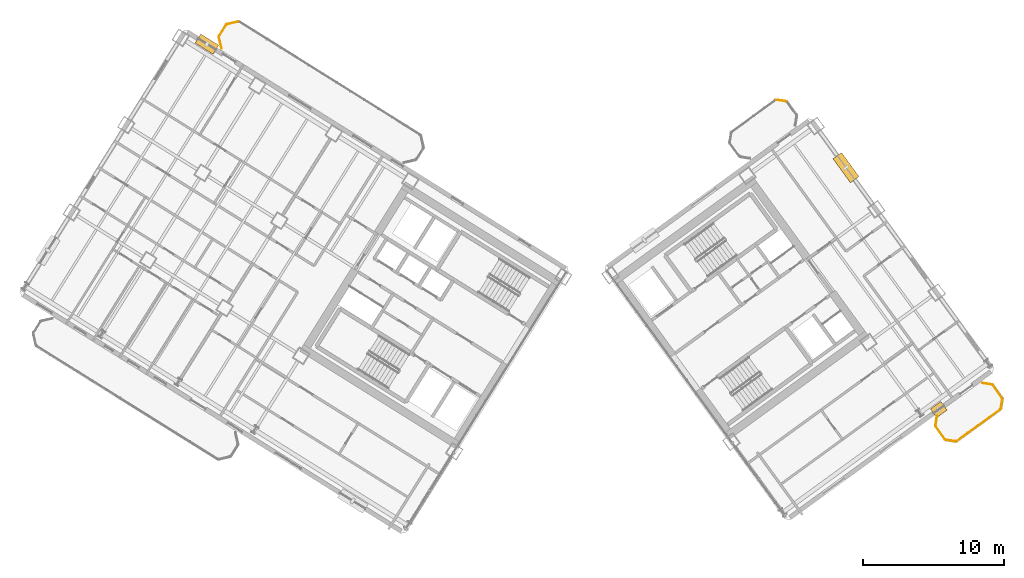
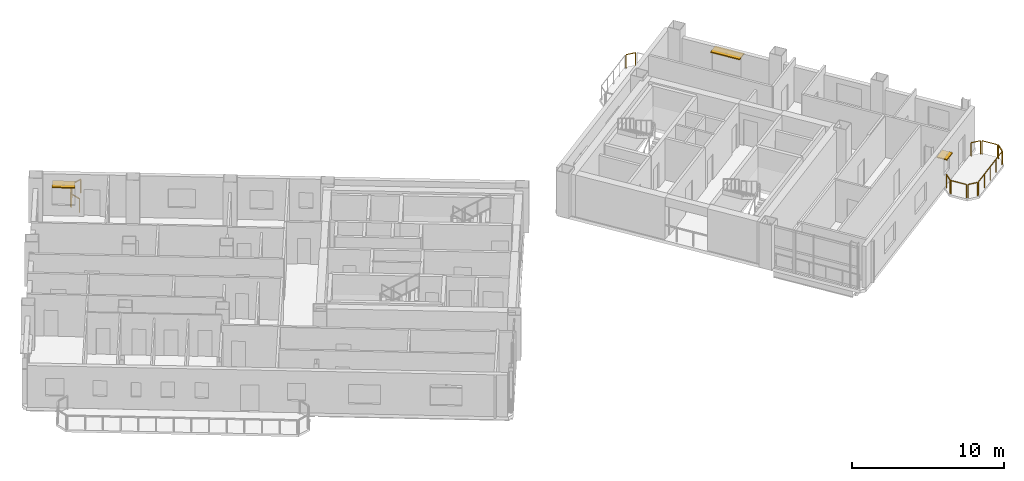
# One storey, part 19 of 19: 11 railings, 3 shading devices.
"""IFC4 building model written with IfcOpenShell, lengths in metres."""

from ifc_helpers import new_model, si_unit, direction, frame, origin, origin_2d, place, context, subcontext, project, spatial, rectangle, extrude, source, transform, mapped, material, layer, layer_set, type_object, element, save


model = new_model("IFC4")

# Units and contexts
model_context = context("Model", 3, precision=1e-05, world=origin(), true_north=direction((0.0, 1.0)))
body_context = subcontext(model_context, "Body", "Model", "MODEL_VIEW")
ifc_project = project(units=[si_unit("LENGTHUNIT", "METRE"), si_unit("AREAUNIT", "SQUARE_METRE"), si_unit("VOLUMEUNIT", "CUBIC_METRE"), si_unit("PLANEANGLEUNIT", "RADIAN"), si_unit("MASSUNIT", "GRAM", prefix="KILO")], contexts=[model_context])

# Site, building, storey
site_placement = place(None, origin())
site = spatial("IfcSite", under=ifc_project, at=site_placement, CompositionType="ELEMENT")
building_placement = place(site_placement, origin())
building = spatial("IfcBuilding", under=site, at=building_placement, Name="Tlacorven Tower", CompositionType="ELEMENT")
storey_placement = place(building_placement, frame((0.0, 0.0, 147.89990234375)))
storey = spatial("IfcBuildingStorey", under=building, at=storey_placement, Name="L37", CompositionType="ELEMENT", Elevation=147.89990234375)

# Railings
ifc_material_1 = material(Name="Aluminium and painted steel balustrade", Category="steel")
railing_type = type_object("IfcRailingType", Name="RL-BAL-1100", PredefinedType="BALUSTRADE", material=ifc_material_1)
shared_shape_1 = source(origin(), body_context, "Body", "SweptSolid", [
    extrude(rectangle(XDim=0.048095703125, YDim=0.048095703125, at=origin_2d()), frame((0.0, 0.0, 1.076171875), z_axis=(-0.225058334816, 0.974345290916, 0.0), x_axis=(-0.974345290916, -0.225058334816, 0.0)), (0.0, 0.0, 1.0), 0.80712890625),
    extrude(rectangle(XDim=0.0419921875, YDim=0.0419921875, at=origin_2d()), origin(), (0.0, 0.0, 1.0), 1.052001953125),
    extrude(rectangle(XDim=0.0419921875, YDim=0.0419921875, at=origin_2d()), frame((-0.181640625, 0.786376953125, 0.0)), (0.0, 0.0, 1.0), 1.052001953125),
])
railing_1_placement = place(storey_placement, frame((16.5361328125, 40.68115234375, 0.0)))
element("IfcRailing", 1, at=railing_1_placement, inside=storey, type_object=railing_type, Name="BAL-L37-W-IN Guard Railing 4", PredefinedType="BALUSTRADE", context=body_context, shape_type="MappedRepresentation", body=[
    mapped(shared_shape_1, transform((0.0, 0.0, 0.0), scale=1.0)),
])
shared_shape_2 = source(origin(), body_context, "Body", "SweptSolid", [
    extrude(rectangle(XDim=0.048095703125, YDim=0.048095703125, at=origin_2d()), frame((0.0, 0.0, 1.076171875), z_axis=(0.52987865805, 0.848073468364, 0.0), x_axis=(-0.848073468364, 0.52987865805, 0.0)), (0.0, 0.0, 1.0), 0.912353515625),
    extrude(rectangle(XDim=0.0419921875, YDim=0.0419921875, at=origin_2d()), origin(), (0.0, 0.0, 1.0), 1.052001953125),
    extrude(rectangle(XDim=0.0419921875, YDim=0.0419921875, at=origin_2d()), frame((0.4833984375, 0.773681640625, 0.0)), (0.0, 0.0, 1.0), 1.052001953125),
])
railing_2_placement = place(storey_placement, frame((16.369873046875, 41.55859375, 0.0)))
element("IfcRailing", 2, at=railing_2_placement, inside=storey, type_object=railing_type, Name="BAL-L37-W-IN Guard Railing 5", PredefinedType="BALUSTRADE", context=body_context, shape_type="MappedRepresentation", body=[
    mapped(shared_shape_2, transform((0.0, 0.0, 0.0), scale=1.0)),
])
shared_shape_3 = source(origin(), body_context, "Body", "SweptSolid", [
    extrude(rectangle(XDim=0.048095703125, YDim=0.048095703125, at=origin_2d()), frame((0.0, 0.0, 1.076171875), z_axis=(0.974411586182, 0.224771129628, 0.0), x_axis=(-0.224771129628, 0.974411586182, 0.0)), (0.0, 0.0, 1.0), 0.80712890625),
    extrude(rectangle(XDim=0.0419921875, YDim=0.0419921875, at=origin_2d()), origin(), (0.0, 0.0, 1.0), 1.052001953125),
    extrude(rectangle(XDim=0.0419921875, YDim=0.0419921875, at=origin_2d()), frame((0.786376953125, 0.181396484375, 0.0)), (0.0, 0.0, 1.0), 1.052001953125),
])
railing_3_placement = place(storey_placement, frame((16.928466796875, 42.385986328125, 0.0)))
element("IfcRailing", 3, at=railing_3_placement, inside=storey, type_object=railing_type, Name="BAL-L37-W-IN Guard Railing 6", PredefinedType="BALUSTRADE", context=body_context, shape_type="MappedRepresentation", body=[
    mapped(shared_shape_3, transform((0.0, 0.0, 0.0), scale=1.0)),
])
shared_shape_4 = source(origin(), body_context, "Body", "SweptSolid", [
    extrude(rectangle(XDim=0.048095703125, YDim=0.048095703125, at=origin_2d()), frame((0.0, 0.0, 1.076171875), z_axis=(-0.987661653326, 0.156602868908, 0.0), x_axis=(-0.156602868908, -0.987661653326, 0.0)), (0.0, 0.0, 1.0), 0.665771484375),
    extrude(rectangle(XDim=0.0419921875, YDim=0.0419921875, at=origin_2d()), origin(), (0.0, 0.0, 1.0), 1.052001953125),
    extrude(rectangle(XDim=0.0419921875, YDim=0.0419921875, at=origin_2d()), frame((-0.657470703125, 0.104248046875, 0.0)), (0.0, 0.0, 1.0), 1.052001953125),
])
railing_4_placement = place(storey_placement, frame((68.59521484375, 12.7919921875, 0.0)))
element("IfcRailing", 4, at=railing_4_placement, inside=storey, type_object=railing_type, Name="BAL-L37-E-OUT Guard Railing 1", PredefinedType="BALUSTRADE", context=body_context, shape_type="MappedRepresentation", body=[
    mapped(shared_shape_4, transform((0.0, 0.0, 0.0), scale=1.0)),
])
shared_shape_5 = source(origin(), body_context, "Body", "SweptSolid", [
    extrude(rectangle(XDim=0.048095703125, YDim=0.048095703125, at=origin_2d()), frame((0.0, 0.0, 1.076171875), z_axis=(-0.58788449985, 0.808944877501, 0.0), x_axis=(-0.808944877501, -0.58788449985, 0.0)), (0.0, 0.0, 1.0), 1.112060546875),
    extrude(rectangle(XDim=0.0419921875, YDim=0.0419921875, at=origin_2d()), origin(), (0.0, 0.0, 1.0), 1.052001953125),
    extrude(rectangle(XDim=0.0419921875, YDim=0.0419921875, at=origin_2d()), frame((-0.65380859375, 0.899658203125, 0.0)), (0.0, 0.0, 1.0), 1.052001953125),
])
railing_5_placement = place(storey_placement, frame((67.85888671875, 12.944580078125, 0.0)))
element("IfcRailing", 5, at=railing_5_placement, inside=storey, type_object=railing_type, Name="BAL-L37-E-OUT Guard Railing 2", PredefinedType="BALUSTRADE", context=body_context, shape_type="MappedRepresentation", body=[
    mapped(shared_shape_5, transform((0.0, 0.0, 0.0), scale=1.0)),
])
shared_shape_6 = source(origin(), body_context, "Body", "SweptSolid", [
    extrude(rectangle(XDim=0.048095703125, YDim=0.048095703125, at=origin_2d()), frame((0.0, 0.0, 1.076171875), z_axis=(0.156602868908, 0.987661653326, 0.0), x_axis=(-0.987661653326, 0.156602868908, 0.0)), (0.0, 0.0, 1.0), 0.665771484375),
    extrude(rectangle(XDim=0.0419921875, YDim=0.0419921875, at=origin_2d()), origin(), (0.0, 0.0, 1.0), 1.052001953125),
    extrude(rectangle(XDim=0.0419921875, YDim=0.0419921875, at=origin_2d()), frame((0.104248046875, 0.657470703125, 0.0)), (0.0, 0.0, 1.0), 1.052001953125),
])
railing_6_placement = place(storey_placement, frame((67.18359375, 13.93408203125, 0.0)))
element("IfcRailing", 6, at=railing_6_placement, inside=storey, type_object=railing_type, Name="BAL-L37-E-OUT Guard Railing 3", PredefinedType="BALUSTRADE", context=body_context, shape_type="MappedRepresentation", body=[
    mapped(shared_shape_6, transform((0.0, 0.0, 0.0), scale=1.0)),
])
shared_shape_7 = source(origin(), body_context, "Body", "SweptSolid", [
    extrude(rectangle(XDim=0.048095703125, YDim=0.048095703125, at=origin_2d()), frame((0.0, 0.0, 1.076171875), z_axis=(0.987718317463, -0.156245081039, 0.0), x_axis=(0.156245081039, 0.987718317463, 0.0)), (0.0, 0.0, 1.0), 0.66552734375),
    extrude(rectangle(XDim=0.0419921875, YDim=0.0419921875, at=origin_2d()), origin(), (0.0, 0.0, 1.0), 1.052001953125),
    extrude(rectangle(XDim=0.0419921875, YDim=0.0419921875, at=origin_2d()), frame((0.657470703125, -0.10400390625, 0.0)), (0.0, 0.0, 1.0), 1.052001953125),
])
railing_7_placement = place(storey_placement, frame((70.513916015625, 16.935546875, 0.0)))
element("IfcRailing", 7, at=railing_7_placement, inside=storey, type_object=railing_type, Name="BAL-L37-E-OUT Guard Railing 4", PredefinedType="BALUSTRADE", context=body_context, shape_type="MappedRepresentation", body=[
    mapped(shared_shape_7, transform((0.0, 0.0, 0.0), scale=1.0)),
])
shared_shape_8 = source(origin(), body_context, "Body", "SweptSolid", [
    extrude(rectangle(XDim=0.048095703125, YDim=0.048095703125, at=origin_2d()), frame((0.0, 0.0, 1.076171875), z_axis=(0.58788449985, -0.808944877501, 0.0), x_axis=(0.808944877501, 0.58788449985, 0.0)), (0.0, 0.0, 1.0), 1.112060546875),
    extrude(rectangle(XDim=0.0419921875, YDim=0.0419921875, at=origin_2d()), origin(), (0.0, 0.0, 1.0), 1.052001953125),
    extrude(rectangle(XDim=0.0419921875, YDim=0.0419921875, at=origin_2d()), frame((0.65380859375, -0.899658203125, 0.0)), (0.0, 0.0, 1.0), 1.052001953125),
])
railing_8_placement = place(storey_placement, frame((71.250244140625, 16.783203125, 0.0)))
element("IfcRailing", 8, at=railing_8_placement, inside=storey, type_object=railing_type, Name="BAL-L37-E-OUT Guard Railing 5", PredefinedType="BALUSTRADE", context=body_context, shape_type="MappedRepresentation", body=[
    mapped(shared_shape_8, transform((0.0, 0.0, 0.0), scale=1.0)),
])
shared_shape_9 = source(origin(), body_context, "Body", "SweptSolid", [
    extrude(rectangle(XDim=0.048095703125, YDim=0.048095703125, at=origin_2d()), frame((0.0, 0.0, 1.076171875), z_axis=(-0.156188498702, -0.987727266442, 0.0), x_axis=(0.987727266442, -0.156188498702, 0.0)), (0.0, 0.0, 1.0), 0.665771484375),
    extrude(rectangle(XDim=0.0419921875, YDim=0.0419921875, at=origin_2d()), origin(), (0.0, 0.0, 1.0), 1.052001953125),
    extrude(rectangle(XDim=0.0419921875, YDim=0.0419921875, at=origin_2d()), frame((-0.10400390625, -0.65771484375, 0.0)), (0.0, 0.0, 1.0), 1.052001953125),
])
railing_9_placement = place(storey_placement, frame((71.925537109375, 15.793701171875, 0.0)))
element("IfcRailing", 9, at=railing_9_placement, inside=storey, type_object=railing_type, Name="BAL-L37-E-OUT Guard Railing 6", PredefinedType="BALUSTRADE", context=body_context, shape_type="MappedRepresentation", body=[
    mapped(shared_shape_9, transform((0.0, 0.0, 0.0), scale=1.0)),
])
shared_shape_10 = source(origin(), body_context, "Body", "SweptSolid", [
    extrude(rectangle(XDim=0.048095703125, YDim=0.048095703125, at=origin_2d()), frame((0.0, 0.0, 1.076171875), z_axis=(-0.809018102573, -0.587783726986, 0.0), x_axis=(0.587783726986, -0.809018102573, 0.0)), (0.0, 0.0, 1.0), 3.817138671875),
    extrude(rectangle(XDim=0.0419921875, YDim=0.0419921875, at=origin_2d()), origin(), (0.0, 0.0, 1.0), 1.052001953125),
    extrude(rectangle(XDim=0.0419921875, YDim=0.0419921875, at=origin_2d()), frame((-0.77197265625, -0.56103515625, 0.0)), (0.0, 0.0, 1.0), 1.052001953125),
    extrude(rectangle(XDim=0.0419921875, YDim=0.0419921875, at=origin_2d()), frame((-1.5439453125, -1.121826171875, 0.0)), (0.0, 0.0, 1.0), 1.052001953125),
    extrude(rectangle(XDim=0.0419921875, YDim=0.0419921875, at=origin_2d()), frame((-2.316162109375, -1.6826171875, 0.0)), (0.0, 0.0, 1.0), 1.052001953125),
    extrude(rectangle(XDim=0.0419921875, YDim=0.0419921875, at=origin_2d()), frame((-3.088134765625, -2.24365234375, 0.0)), (0.0, 0.0, 1.0), 1.052001953125),
])
railing_10_placement = place(storey_placement, frame((71.773193359375, 15.057373046875, 0.0)))
element("IfcRailing", 10, at=railing_10_placement, inside=storey, type_object=railing_type, Name="BAL-L37-E-OUT Guard Railing 7", PredefinedType="BALUSTRADE", context=body_context, shape_type="MappedRepresentation", body=[
    mapped(shared_shape_10, transform((0.0, 0.0, 0.0), scale=1.0)),
])
shared_shape_11 = source(origin(), body_context, "Body", "SweptSolid", [
    extrude(rectangle(XDim=0.048095703125, YDim=0.048095703125, at=origin_2d()), frame((0.0, 0.0, 1.076171875), z_axis=(0.987670642822, -0.156546163506, 0.0), x_axis=(0.156546163506, 0.987670642822, 0.0)), (0.0, 0.0, 1.0), 0.666015625),
    extrude(rectangle(XDim=0.0419921875, YDim=0.0419921875, at=origin_2d()), origin(), (0.0, 0.0, 1.0), 1.052001953125),
    extrude(rectangle(XDim=0.0419921875, YDim=0.0419921875, at=origin_2d()), frame((0.65771484375, -0.104248046875, 0.0)), (0.0, 0.0, 1.0), 1.052001953125),
])
railing_11_placement = place(storey_placement, frame((55.922119140625, 37.01953125, 0.0)))
element("IfcRailing", 11, at=railing_11_placement, inside=storey, type_object=railing_type, Name="BAL-L37-E-IN Guard Railing 5", PredefinedType="BALUSTRADE", context=body_context, shape_type="MappedRepresentation", body=[
    mapped(shared_shape_11, transform((0.0, 0.0, 0.0), scale=1.0)),
])

# Shading devices
ifc_material_2 = material(Name="Anodised bronze aluminium sunshade", Category="aluminium")
ifc_layer = layer(ifc_material_2, 0.080078125)
ifc_layer_set = layer_set([ifc_layer], Name="Anodised bronze aluminium sunshade")
shading_device_type = type_object("IfcShadingDeviceType", Name="SH-SUN-BRZ", PredefinedType="AWNING", material=ifc_layer_set)
shared_shape_12 = source(origin(), body_context, "Body", "SweptSolid", [
    extrude(rectangle(XDim=2.10009765625, YDim=0.75, at=origin_2d()), origin(), (0.0, 0.0, 1.0), 0.080078125),
])
shading_device_1_placement = place(storey_placement, frame((60.83154296875, 32.21240234375, 2.3701171875), z_axis=(0.0, 0.0, 1.0), x_axis=(0.587785363163, -0.809016913823, 0.0)))
element("IfcShadingDevice", 12, at=shading_device_1_placement, inside=storey, type_object=shading_device_type, Name="L37 Solar Brise-Soleil Sunshade L37-05.1", PredefinedType="AWNING", context=body_context, shape_type="MappedRepresentation", body=[
    mapped(shared_shape_12, transform((0.0, 0.0, 0.0), scale=1.0)),
])
shared_shape_13 = source(origin(), body_context, "Body", "SweptSolid", [
    extrude(rectangle(XDim=0.89990234375, YDim=0.75, at=origin_2d()), origin(), (0.0, 0.0, 1.0), 0.080078125),
])
shading_device_2_placement = place(storey_placement, frame((67.413818359375, 15.054443359375, 2.27001953125), z_axis=(0.0, 0.0, 1.0), x_axis=(-0.809017097486, -0.587785110372, 0.0)))
element("IfcShadingDevice", 13, at=shading_device_2_placement, inside=storey, type_object=shading_device_type, Name="L37 Solar Brise-Soleil Sunshade L37-06.1", PredefinedType="AWNING", context=body_context, shape_type="MappedRepresentation", body=[
    mapped(shared_shape_13, transform((0.0, 0.0, 0.0), scale=1.0)),
])
shared_shape_14 = source(origin(), body_context, "Body", "SweptSolid", [
    extrude(rectangle(XDim=1.5, YDim=0.75, at=origin_2d()), origin(), (0.0, 0.0, 1.0), 0.080078125),
])
shading_device_3_placement = place(storey_placement, frame((15.504638671875, 40.971435546875, 2.3701171875), z_axis=(0.0, 0.0, 1.0), x_axis=(0.84804812172, -0.529919223323, 0.0)))
element("IfcShadingDevice", 14, at=shading_device_3_placement, inside=storey, type_object=shading_device_type, Name="L37 Solar Brise-Soleil Sunshade L37-03.1", PredefinedType="AWNING", context=body_context, shape_type="MappedRepresentation", body=[
    mapped(shared_shape_14, transform((0.0, 0.0, 0.0), scale=1.0)),
])

save(model, "model.ifc")
